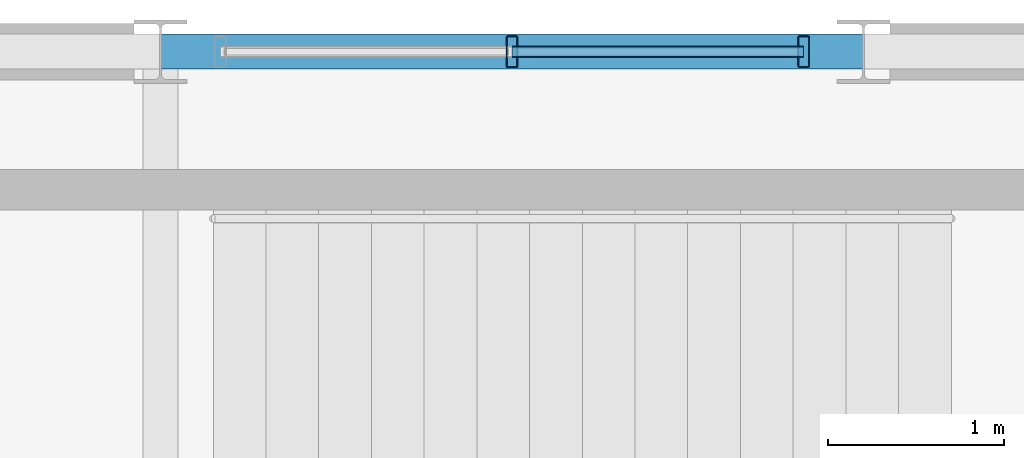
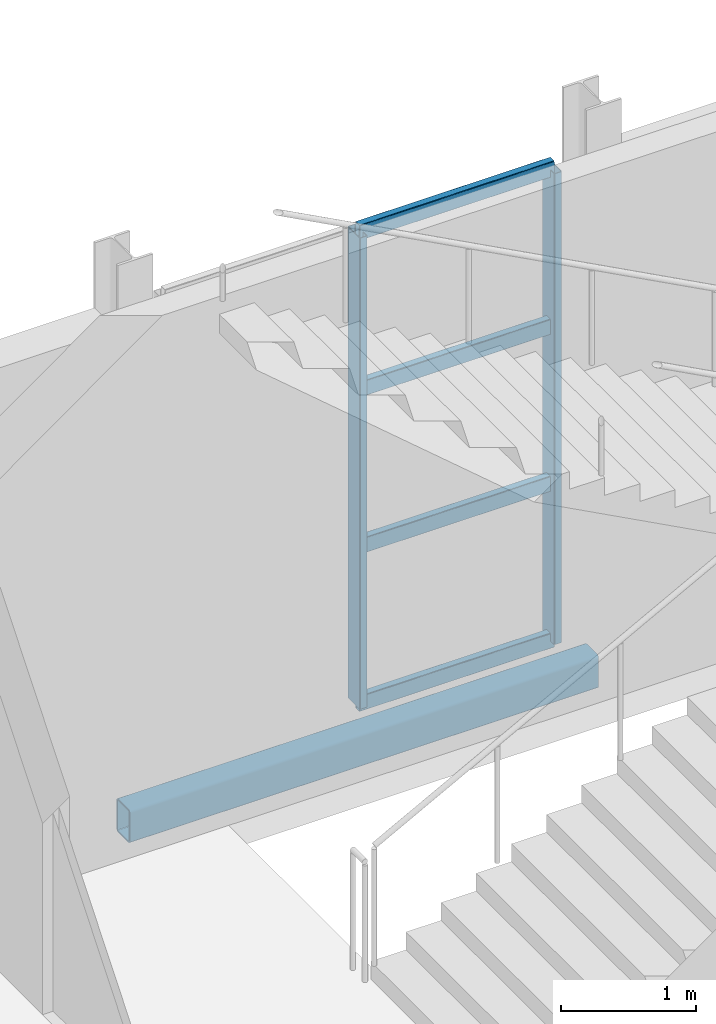
# One storey, part 77 of 143: 6 members, 1 beam, 1 element without a shape of its own.
"""IFC4 building model written with IfcOpenShell, lengths in metres."""

import ifcopenshell
import ifcopenshell.guid

model = None  # the IFC model being written
_history = None  # IfcOwnerHistory: only IFC2X3 demands one
_inside = {}  # id of a spatial element -> (the spatial element, [elements in it])
_under = {}  # id of a project, library or spatial element -> (it, [spatial elements below it])
_declared = {}  # id of a project -> (the project, [libraries it declares])
_typed = {}  # id of a type object -> (the type object, [elements of that type])
_made_of = {}  # id of a material, layer set ... -> (it, [elements and type objects made of it])


def new_model(schema):
    """Start an empty IFC model of exactly this schema.

    Asked for "IFC4X3", IfcOpenShell would pick the latest addendum, in which some entities
    have other attributes; the version numbers below select the first issue.
    IFC2X3 requires an IfcOwnerHistory on every rooted entity: one is made here for all.
    """
    global model, _history
    if schema == "IFC4X3":
        model = ifcopenshell.file(schema_version=(4, 3, 0, 0))
    else:
        model = ifcopenshell.file(schema=schema)
    _inside.clear()
    _under.clear()
    _declared.clear()
    _typed.clear()
    _made_of.clear()
    _history = None
    if model.schema == "IFC2X3":
        org = make("IfcOrganization", Name="unknown")
        user = make(
            "IfcPersonAndOrganization",
            ThePerson=make("IfcPerson", FamilyName="unknown"),
            TheOrganization=org,
        )
        app = make(
            "IfcApplication",
            ApplicationDeveloper=org,
            Version="unknown",
            ApplicationFullName="unknown",
            ApplicationIdentifier="unknown",
        )
        _history = make(
            "IfcOwnerHistory",
            OwningUser=user,
            OwningApplication=app,
            ChangeAction="ADDED",
            CreationDate=0,
        )
    return model


def make(cls, **values):
    """One entity of the class cls with the attributes given. An attribute that is None is left unset."""
    return model.create_entity(
        cls, **{name: value for name, value in values.items() if value is not None}
    )


def rooted(cls, **values):
    """An entity with a GlobalId (a new one), such as an element, a storey or a relation."""
    return make(cls, GlobalId=ifcopenshell.guid.new(), OwnerHistory=_history, **values)


def si_unit(unit_type, name, prefix=None):
    """IfcSIUnit, for example si_unit("LENGTHUNIT", "METRE", prefix="MILLI")."""
    return make("IfcSIUnit", UnitType=unit_type, Prefix=prefix, Name=name)


def derived_unit(unit_type, elements):
    """IfcDerivedUnit: a product of units, each with its exponent."""
    return make(
        "IfcDerivedUnit",
        Elements=[
            make("IfcDerivedUnitElement", Unit=unit, Exponent=power)
            for unit, power in elements
        ],
        UnitType=unit_type,
    )


def assignment(units):
    """IfcUnitAssignment: the units of a project."""
    return None if units is None else make("IfcUnitAssignment", Units=units)


def point(xyz):
    """IfcCartesianPoint."""
    return None if xyz is None else make("IfcCartesianPoint", Coordinates=xyz)


def direction(xyz):
    """IfcDirection."""
    return None if xyz is None else make("IfcDirection", DirectionRatios=xyz)


def frame(location, z_axis=None, x_axis=None):
    """IfcAxis2Placement3D, a coordinate frame: its origin and axes. An axis left out is left unset."""
    return make(
        "IfcAxis2Placement3D",
        Location=point(location),
        Axis=direction(z_axis),
        RefDirection=direction(x_axis),
    )


def frame_2d(location, x_axis=None):
    """IfcAxis2Placement2D, a coordinate frame in the plane: its origin and x axis."""
    return make(
        "IfcAxis2Placement2D", Location=point(location), RefDirection=direction(x_axis)
    )


def origin():
    """The frame at (0, 0, 0) with its axes left unset."""
    return frame((0.0, 0.0, 0.0))


def origin_2d():
    """The frame at (0, 0) in the plane with its x axis left unset."""
    return frame_2d((0.0, 0.0))


def place(relative_to, where):
    """IfcLocalPlacement: puts the frame where relative to a parent placement (None: the world)."""
    return make(
        "IfcLocalPlacement", PlacementRelTo=relative_to, RelativePlacement=where
    )


def context(
    kind, dimensions, precision=None, world=None, true_north=None, identifier=None
):
    """IfcGeometricRepresentationContext, for example the 3D "Model" context."""
    return make(
        "IfcGeometricRepresentationContext",
        ContextIdentifier=identifier,
        ContextType=kind,
        CoordinateSpaceDimension=dimensions,
        Precision=precision,
        WorldCoordinateSystem=world,
        TrueNorth=true_north,
    )


def subcontext(parent, identifier, kind, view, scale=None):
    """IfcGeometricRepresentationSubContext, for example "Body" below "Model"."""
    return make(
        "IfcGeometricRepresentationSubContext",
        ContextIdentifier=identifier,
        ContextType=kind,
        ParentContext=parent,
        TargetScale=scale,
        TargetView=view,
    )


def project(units=None, contexts=None):
    """IfcProject with its units and contexts."""
    return rooted(
        "IfcProject",
        Name="project",
        RepresentationContexts=contexts,
        UnitsInContext=assignment(units),
    )


def spatial(cls, under=None, at=None, **own):
    """A site, building, storey or space (cls), placed at a placement, below another one or the project."""
    s = rooted(cls, ObjectPlacement=at, **own)
    if under is not None:
        _under.setdefault(under.id(), (under, []))[1].append(s)
    return s


def profile(cls, at=None, kind="AREA", **sizes):
    """A parametric profile (cls). Its sizes go by their IFC names, for example OverallWidth=200.0."""
    return make(cls, ProfileType=kind, Position=at, **sizes)


def hollow_rectangle(**sizes):
    """IfcRectangleHollowProfileDef."""
    return profile("IfcRectangleHollowProfileDef", **sizes)


def extrude(swept, where, along, depth):
    """IfcExtrudedAreaSolid: the profile swept, set in the frame where, extruded along a direction by depth."""
    return make(
        "IfcExtrudedAreaSolid",
        SweptArea=swept,
        Position=where,
        ExtrudedDirection=direction(along),
        Depth=depth,
    )


def shape(context_of_items, identifier, shape_type, items):
    """IfcShapeRepresentation: the items that make up one representation, for example the "Body"."""
    return make(
        "IfcShapeRepresentation",
        ContextOfItems=context_of_items,
        RepresentationIdentifier=identifier,
        RepresentationType=shape_type,
        Items=items,
    )


def material(Name=None, Category=None):
    """IfcMaterial."""
    return make("IfcMaterial", Name=Name, Category=Category)


def material_profile(
    of_material, cross_section, Name=None, Category=None, Priority=None
):
    """IfcMaterialProfile: a cross section and its material."""
    return make(
        "IfcMaterialProfile",
        Name=Name,
        Material=of_material,
        Profile=cross_section,
        Priority=Priority,
        Category=Category,
    )


def profile_set(profiles, Name=None, composite=None):
    """IfcMaterialProfileSet."""
    return make(
        "IfcMaterialProfileSet",
        Name=Name,
        MaterialProfiles=profiles,
        CompositeProfile=composite,
    )


def made_of(thing, what):
    """Note that an element or type object is made of a material, layer set ...; save() writes the relation."""
    if what is not None:
        _made_of.setdefault(what.id(), (what, []))[1].append(thing)
    return thing


def type_object(cls, material=None, **own):
    """A type object (cls), such as IfcWallType, which elements share."""
    return made_of(rooted(cls, **own), material)


def element(
    cls,
    number,
    at=None,
    inside=None,
    cuts=None,
    type_object=None,
    material=None,
    context=None,
    identifier="Body",
    shape_type=None,
    held_by="IfcProductDefinitionShape",
    body=None,
    shapes=None,
    **own,
):
    """One element of the class cls, such as IfcWall. Its Tag is "e" and its number.

    at: its placement. inside: the storey or other place that contains it. cuts: it is an
    opening in that element (IfcRelVoidsElement). A single representation is given by context,
    identifier, shape_type and body (its items); several are given by shapes. held_by: the class
    of the entity that holds the representations. save() writes the other relations.
    """
    e = rooted(cls, Tag="e%d" % number, ObjectPlacement=at, **own)
    if body is not None:
        shapes = [shape(context, identifier, shape_type, body)]
    if shapes is not None:
        e.Representation = make(held_by, Representations=shapes)
    if inside is not None:
        _inside.setdefault(inside.id(), (inside, []))[1].append(e)
    if cuts is not None:
        rooted(
            "IfcRelVoidsElement", RelatingBuildingElement=cuts, RelatedOpeningElement=e
        )
    if type_object is not None:
        _typed.setdefault(type_object.id(), (type_object, []))[1].append(e)
    return made_of(e, material)


def aggregate(whole, parts):
    """IfcRelAggregates: a whole, such as a stair, and the parts it consists of."""
    return rooted("IfcRelAggregates", RelatingObject=whole, RelatedObjects=parts)


def save(model, path):
    """Write the relations noted so far, then the file.

    IfcRelAggregates (storeys below a building ...), IfcRelContainedInSpatialStructure (elements
    in a storey), IfcRelDefinesByType, IfcRelAssociatesMaterial and IfcRelDeclares: one each for
    every whole, place, type object, material and project.
    """
    for whole, parts in _under.values():
        aggregate(whole, parts)
    for where, things in _inside.values():
        rooted(
            "IfcRelContainedInSpatialStructure",
            RelatedElements=things,
            RelatingStructure=where,
        )
    for kind, things in _typed.values():
        rooted("IfcRelDefinesByType", RelatedObjects=things, RelatingType=kind)
    for what, things in _made_of.values():
        rooted("IfcRelAssociatesMaterial", RelatedObjects=things, RelatingMaterial=what)
    for by, libraries in _declared.values():
        rooted("IfcRelDeclares", RelatingContext=by, RelatedDefinitions=libraries)
    model.write(path)


model = new_model("IFC4")

# Units and contexts
model_context = context("Model", 3, precision=1e-05, world=origin(), true_north=direction((0.0, 1.0)))
body_context = subcontext(model_context, "Body", "Model", "MODEL_VIEW")
ifc_project = project(units=[si_unit("LENGTHUNIT", "METRE"), si_unit("AREAUNIT", "SQUARE_METRE"), si_unit("VOLUMEUNIT", "CUBIC_METRE"), si_unit("PLANEANGLEUNIT", "RADIAN"), si_unit("MASSUNIT", "GRAM", prefix="KILO"), derived_unit("THERMALTRANSMITTANCEUNIT", [(si_unit("POWERUNIT", "WATT"), 1), (si_unit("LENGTHUNIT", "METRE"), -2), (si_unit("THERMODYNAMICTEMPERATUREUNIT", "KELVIN"), -1)])], contexts=[model_context])

# Site, building, storey
site_placement = place(None, origin())
site = spatial("IfcSite", under=ifc_project, at=site_placement, CompositionType="ELEMENT")
building_placement = place(site_placement, origin())
building = spatial("IfcBuilding", under=site, at=building_placement, Name="Keldorne Ridge Multi-Sports Centre", CompositionType="ELEMENT")
storey_placement = place(building_placement, frame((0.0, 0.0, 4.800048828125)))
storey = spatial("IfcBuildingStorey", under=building, at=storey_placement, Name="L01", CompositionType="ELEMENT", Elevation=4.800048828125)

# Beam
ifc_material_1 = material(Name="Steel S355", Category="steel")
ifc_material_profile_1 = material_profile(ifc_material_1, hollow_rectangle(XDim=0.199951171875, YDim=0.300048828125, WallThickness=0.012451171875, InnerFilletRadius=0.012451171875, OuterFilletRadius=0.02490234375, at=origin_2d()), Name="RHS 300x200x12.5")
ifc_profile_set_1 = profile_set([ifc_material_profile_1], Name="Steel S355")
beam_type = type_object("IfcBeamType", Name="BM-SP-01", PredefinedType="SPANDREL", material=ifc_profile_set_1)
beam_placement = place(storey_placement, frame((128.0, 117.0, -0.3701171875), z_axis=(1.0, 0.0, 0.0), x_axis=(0.0, 1.0, 0.0)))
element("IfcBeam", 1, at=beam_placement, inside=storey, type_object=beam_type, Name="L01 primary beam 5.117", PredefinedType="SPANDREL", context=body_context, shape_type="SweptSolid", body=[
    extrude(hollow_rectangle(XDim=0.199951171875, YDim=0.300048828125, WallThickness=0.012451171875, InnerFilletRadius=0.012451171875, OuterFilletRadius=0.02490234375, at=origin_2d()), origin(), (0.0, 0.0, 1.0), 4.0),
])

# Curtain wall, members
ifc_material_2 = material(Name="Anodized aluminium", Category="aluminium")
curtain_wall_type = type_object("IfcCurtainWallType", Name="CW-CW-08", PredefinedType="NOTDEFINED", material=ifc_material_2)
curtain_wall_placement = place(storey_placement, origin())
curtain_wall = element("IfcCurtainWall", 2, at=curtain_wall_placement, inside=storey, type_object=curtain_wall_type, Name="East Wing L01 north curtain wall 144", PredefinedType="NOTDEFINED")
ifc_material_profile_2 = material_profile(ifc_material_2, hollow_rectangle(XDim=0.06494140625, YDim=0.179931640625, WallThickness=0.00439453125, InnerFilletRadius=0.00439453125, OuterFilletRadius=0.009033203125, at=origin_2d()), Name="ALU MULLION 180x65x4.5")
ifc_profile_set_2 = profile_set([ifc_material_profile_2], Name="Anodized aluminium")
member_type_1 = type_object("IfcMemberType", Name="MEM-ML-01", PredefinedType="MULLION", material=ifc_profile_set_2)
member_1_placement = place(storey_placement, frame((131.659912109375, 117.0, 0.0), z_axis=(0.0, 0.0, 1.0), x_axis=(1.0, 0.0, 0.0)))
member_1 = element("IfcMember", 3, at=member_1_placement, type_object=member_type_1, Name="CW-144 vertical mullion 1", PredefinedType="MULLION", context=body_context, shape_type="SweptSolid", body=[
    extrude(hollow_rectangle(XDim=0.06494140625, YDim=0.179931640625, WallThickness=0.00439453125, InnerFilletRadius=0.00439453125, OuterFilletRadius=0.009033203125, at=origin_2d()), origin(), (0.0, 0.0, 1.0), 4.25),
])
member_2_placement = place(storey_placement, frame((130.0, 117.0, 0.0), z_axis=(0.0, 0.0, 1.0), x_axis=(1.0, 0.0, 0.0)))
member_2 = element("IfcMember", 4, at=member_2_placement, type_object=member_type_1, Name="CW-144 vertical mullion 2", PredefinedType="MULLION", context=body_context, shape_type="SweptSolid", body=[
    extrude(hollow_rectangle(XDim=0.06494140625, YDim=0.179931640625, WallThickness=0.00439453125, InnerFilletRadius=0.00439453125, OuterFilletRadius=0.009033203125, at=origin_2d()), origin(), (0.0, 0.0, 1.0), 4.25),
])
ifc_material_profile_3 = material_profile(ifc_material_2, hollow_rectangle(XDim=0.06494140625, YDim=0.139892578125, WallThickness=0.00439453125, InnerFilletRadius=0.00439453125, OuterFilletRadius=0.009033203125, at=origin_2d()), Name="ALU TRANSOM 140x65x4.5")
ifc_profile_set_3 = profile_set([ifc_material_profile_3], Name="Anodized aluminium")
member_type_2 = type_object("IfcMemberType", Name="MEM-TR-01", PredefinedType="USERDEFINED", material=ifc_profile_set_3)
member_3_placement = place(storey_placement, frame((131.659912109375, 117.0, 0.0), z_axis=(-1.0, 0.0, 0.0), x_axis=(0.0, -1.0, 0.0)))
member_3 = element("IfcMember", 5, at=member_3_placement, type_object=member_type_2, Name="CW-144 transom 1.1", ObjectType="TRANSOM", PredefinedType="USERDEFINED", context=body_context, shape_type="SweptSolid", body=[
    extrude(hollow_rectangle(XDim=0.06494140625, YDim=0.139892578125, WallThickness=0.00439453125, InnerFilletRadius=0.00439453125, OuterFilletRadius=0.009033203125, at=origin_2d()), origin(), (0.0, 0.0, 1.0), 1.659912109375),
])
member_4_placement = place(storey_placement, frame((131.659912109375, 117.0, 1.416748046875), z_axis=(-1.0, 0.0, 0.0), x_axis=(0.0, -1.0, 0.0)))
member_4 = element("IfcMember", 6, at=member_4_placement, type_object=member_type_2, Name="CW-144 transom 1.2", ObjectType="TRANSOM", PredefinedType="USERDEFINED", context=body_context, shape_type="SweptSolid", body=[
    extrude(hollow_rectangle(XDim=0.06494140625, YDim=0.139892578125, WallThickness=0.00439453125, InnerFilletRadius=0.00439453125, OuterFilletRadius=0.009033203125, at=origin_2d()), origin(), (0.0, 0.0, 1.0), 1.659912109375),
])
member_5_placement = place(storey_placement, frame((131.659912109375, 117.0, 2.833251953125), z_axis=(-1.0, 0.0, 0.0), x_axis=(0.0, -1.0, 0.0)))
member_5 = element("IfcMember", 7, at=member_5_placement, type_object=member_type_2, Name="CW-144 transom 1.3", ObjectType="TRANSOM", PredefinedType="USERDEFINED", context=body_context, shape_type="SweptSolid", body=[
    extrude(hollow_rectangle(XDim=0.06494140625, YDim=0.139892578125, WallThickness=0.00439453125, InnerFilletRadius=0.00439453125, OuterFilletRadius=0.009033203125, at=origin_2d()), origin(), (0.0, 0.0, 1.0), 1.659912109375),
])
member_6_placement = place(storey_placement, frame((131.659912109375, 117.0, 4.25), z_axis=(-1.0, 0.0, 0.0), x_axis=(0.0, -1.0, 0.0)))
member_6 = element("IfcMember", 8, at=member_6_placement, type_object=member_type_2, Name="CW-144 transom 1.4", ObjectType="TRANSOM", PredefinedType="USERDEFINED", context=body_context, shape_type="SweptSolid", body=[
    extrude(hollow_rectangle(XDim=0.06494140625, YDim=0.139892578125, WallThickness=0.00439453125, InnerFilletRadius=0.00439453125, OuterFilletRadius=0.009033203125, at=origin_2d()), origin(), (0.0, 0.0, 1.0), 1.659912109375),
])
aggregate(curtain_wall, [member_1, member_2, member_3, member_4, member_5, member_6])

save(model, "model.ifc")
